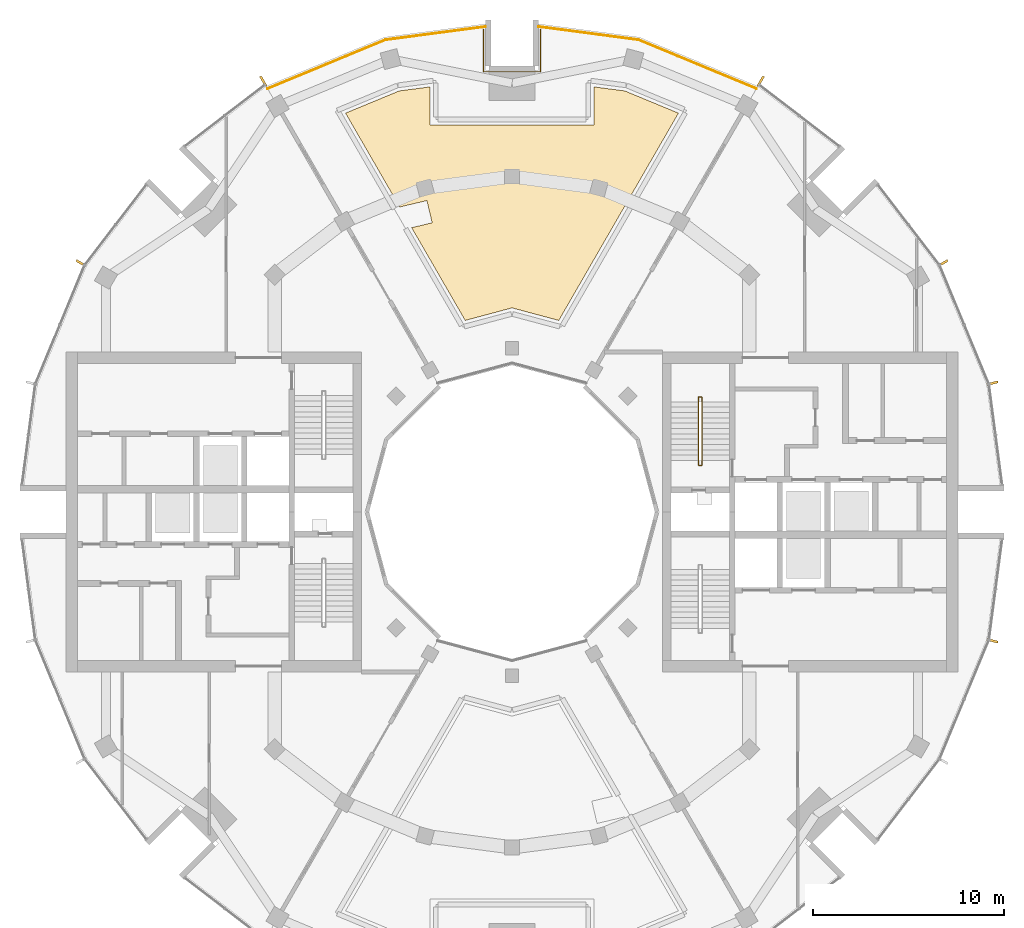
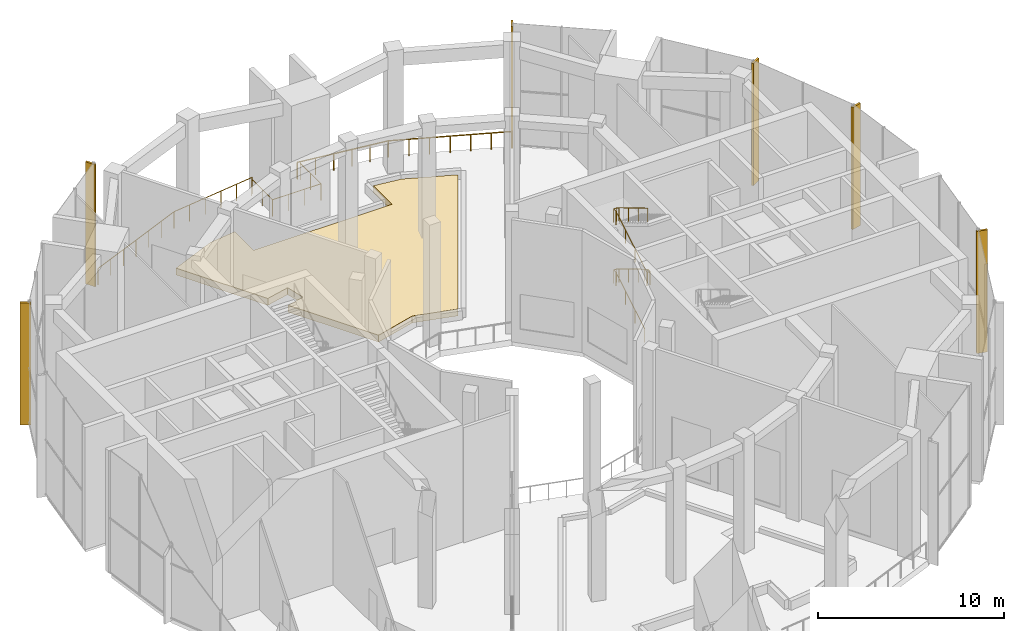
# One storey, part 17 of 18: 6 shading devices, 4 railings, 1 covering.
"""IFC4 building model written with IfcOpenShell, lengths in metres."""

from ifc_helpers import new_model, si_unit, direction, frame, origin, origin_2d, place, context, subcontext, project, spatial, polyline, rectangle, circle, outline, extrude, material, layer, layer_set, material_profile, profile_set, type_object, element, save


model = new_model("IFC4")

# Units and contexts
model_context = context("Model", 3, precision=1e-05, world=origin(), true_north=direction((0.0, 1.0)))
body_context = subcontext(model_context, "Body", "Model", "MODEL_VIEW")
ifc_project = project(units=[si_unit("LENGTHUNIT", "METRE"), si_unit("AREAUNIT", "SQUARE_METRE"), si_unit("VOLUMEUNIT", "CUBIC_METRE"), si_unit("PLANEANGLEUNIT", "RADIAN"), si_unit("MASSUNIT", "GRAM", prefix="KILO")], contexts=[model_context])

# Site, building, storey
site_placement = place(None, origin())
site = spatial("IfcSite", under=ifc_project, at=site_placement, CompositionType="ELEMENT")
building_placement = place(site_placement, origin())
building = spatial("IfcBuilding", under=site, at=building_placement, Name="Torre Brocal", CompositionType="ELEMENT")
storey_placement = place(building_placement, frame((0.0, 0.0, 229.300048828125)))
storey = spatial("IfcBuildingStorey", under=building, at=storey_placement, Name="L53", CompositionType="ELEMENT", Elevation=229.300048828125)

# Shading devices
ifc_material_1 = material(Name="Aluminium, black anodised", Category="aluminium")
ifc_material_profile = material_profile(ifc_material_1, rectangle(XDim=0.1201171875, YDim=0.60009765625, at=origin_2d()), Name="FIN 120X600 8000 HIGH")
ifc_profile_set = profile_set([ifc_material_profile], Name="Aluminium, black anodised")
shading_device_type = type_object("IfcShadingDeviceType", Name="FIN 120X600 8000 HIGH", PredefinedType="USERDEFINED", material=ifc_profile_set)
for number, where, z_axis, x_axis, name in (
    (1, (105.208984375, 81.754638671875, -0.150146484375), (0.0, 0.0, 1.0), (-0.258819045103, 0.965925826289, 0.0), "FIN"),
    (2, (102.601806640625, 88.049072265625, -0.150146484375), (0.0, 0.0, 1.0), (-0.5, 0.866025403784, 0.0), "FIN"),
    (3, (93.049072265625, 97.601806640625, -0.150146484375), (0.0, 0.0, 1.0), (-0.866025403784, 0.5, 0.0), "FIN"),
    (4, (66.950927734375, 97.601806640625, -0.150146484375), (0.0, 0.0, 1.0), (-0.866025403784, -0.5, 0.0), "FIN"),
    (5, (57.398193359375, 88.049072265625, -0.150146484375), (0.0, 0.0, 1.0), (-0.5, -0.866025403784, 0.0), "FIN"),
    (6, (105.208984375, 68.245361328125, -0.150146484375), (0.0, 0.0, 1.0), (0.258819045103, 0.965925826289, 0.0), "FIN"),
):
    element("IfcShadingDevice", number, at=place(storey_placement, frame(where, z_axis=z_axis, x_axis=x_axis)), inside=storey, type_object=shading_device_type, Name=name, ObjectType="FIN", PredefinedType="USERDEFINED", context=body_context, shape_type="SweptSolid", body=[
        extrude(rectangle(XDim=0.1201171875, YDim=0.60009765625, at=origin_2d()), origin(), (0.0, 0.0, 1.0), 8.0),
    ])

# Railings
ifc_material_2 = material(Name="Laminated glass", Category="glass")
railing_type_1 = type_object("IfcRailingType", Name="GLASS BALUSTRADE 1100", PredefinedType="BALUSTRADE", material=ifc_material_2)
railing_1_placement = place(storey_placement, frame((92.823486328125, 97.2109375, 0.0)))
element("IfcRailing", 7, at=railing_1_placement, inside=storey, type_object=railing_type_1, Name="GLASS BALUSTRADE", PredefinedType="BALUSTRADE", context=body_context, shape_type="SweptSolid", body=[
    extrude(circle(Radius=0.02392578125, at=origin_2d()), frame((0.0, 0.0, 1.076171875), z_axis=(-0.923873277269, 0.382698533507, 0.0), x_axis=(-0.382698533507, -0.923873277269, 0.0)), (0.0, 0.0, 1.0), 6.6953125),
    extrude(circle(Radius=0.02392578125, at=origin_2d()), frame((-6.185546875, 2.562255859375, 1.076171875), z_axis=(-0.991448474977, 0.130498741241, 0.0), x_axis=(-0.130498741241, -0.991448474977, 0.0)), (0.0, 0.0, 1.0), 5.283203125),
    extrude(circle(Radius=0.02099609375, at=origin_2d()), origin(), (0.0, 0.0, 1.0), 1.052001953125),
    extrude(circle(Radius=0.02099609375, at=origin_2d()), frame((-1.031005859375, 0.427001953125, 0.0)), (0.0, 0.0, 1.0), 1.052001953125),
    extrude(circle(Radius=0.02099609375, at=origin_2d()), frame((-2.061767578125, 0.85400390625, 0.0)), (0.0, 0.0, 1.0), 1.052001953125),
    extrude(circle(Radius=0.02099609375, at=origin_2d()), frame((-3.0927734375, 1.28125, 0.0)), (0.0, 0.0, 1.0), 1.052001953125),
    extrude(circle(Radius=0.02099609375, at=origin_2d()), frame((-4.123779296875, 1.708251953125, 0.0)), (0.0, 0.0, 1.0), 1.052001953125),
    extrude(circle(Radius=0.02099609375, at=origin_2d()), frame((-5.154541015625, 2.13525390625, 0.0)), (0.0, 0.0, 1.0), 1.052001953125),
    extrude(circle(Radius=0.02099609375, at=origin_2d()), frame((-6.185546875, 2.562255859375, 0.0)), (0.0, 0.0, 1.0), 1.052001953125),
    extrude(circle(Radius=0.02099609375, at=origin_2d()), frame((-7.233154296875, 2.7001953125, 0.0)), (0.0, 0.0, 1.0), 1.052001953125),
    extrude(circle(Radius=0.02099609375, at=origin_2d()), frame((-8.28076171875, 2.838134765625, 0.0)), (0.0, 0.0, 1.0), 1.052001953125),
    extrude(circle(Radius=0.02099609375, at=origin_2d()), frame((-9.328369140625, 2.975830078125, 0.0)), (0.0, 0.0, 1.0), 1.052001953125),
    extrude(circle(Radius=0.02099609375, at=origin_2d()), frame((-10.3759765625, 3.11376953125, 0.0)), (0.0, 0.0, 1.0), 1.052001953125),
    extrude(circle(Radius=0.02099609375, at=origin_2d()), frame((-11.423583984375, 3.251708984375, 0.0)), (0.0, 0.0, 1.0), 1.052001953125),
])
railing_2_placement = place(storey_placement, frame((78.60009765625, 100.462646484375, 0.0)))
element("IfcRailing", 8, at=railing_2_placement, inside=storey, type_object=railing_type_1, Name="GLASS BALUSTRADE", PredefinedType="BALUSTRADE", context=body_context, shape_type="SweptSolid", body=[
    extrude(circle(Radius=0.02392578125, at=origin_2d()), frame((0.0, 0.0, 1.076171875), z_axis=(-0.991448474977, -0.130498741241, 0.0), x_axis=(0.130498741241, -0.991448474977, 0.0)), (0.0, 0.0, 1.0), 5.283203125),
    extrude(circle(Radius=0.02392578125, at=origin_2d()), frame((-5.238037109375, -0.689453125, 1.076171875), z_axis=(-0.923873277269, -0.382698533507, 0.0), x_axis=(0.382698533507, -0.923873277269, 0.0)), (0.0, 0.0, 1.0), 6.6953125),
    extrude(circle(Radius=0.02099609375, at=origin_2d()), origin(), (0.0, 0.0, 1.0), 1.052001953125),
    extrude(circle(Radius=0.02099609375, at=origin_2d()), frame((-1.047607421875, -0.137939453125, 0.0)), (0.0, 0.0, 1.0), 1.052001953125),
    extrude(circle(Radius=0.02099609375, at=origin_2d()), frame((-2.09521484375, -0.27587890625, 0.0)), (0.0, 0.0, 1.0), 1.052001953125),
    extrude(circle(Radius=0.02099609375, at=origin_2d()), frame((-3.142822265625, -0.41357421875, 0.0)), (0.0, 0.0, 1.0), 1.052001953125),
    extrude(circle(Radius=0.02099609375, at=origin_2d()), frame((-4.1904296875, -0.551513671875, 0.0)), (0.0, 0.0, 1.0), 1.052001953125),
    extrude(circle(Radius=0.02099609375, at=origin_2d()), frame((-5.238037109375, -0.689453125, 0.0)), (0.0, 0.0, 1.0), 1.052001953125),
    extrude(circle(Radius=0.02099609375, at=origin_2d()), frame((-6.26904296875, -1.116455078125, 0.0)), (0.0, 0.0, 1.0), 1.052001953125),
    extrude(circle(Radius=0.02099609375, at=origin_2d()), frame((-7.2998046875, -1.54345703125, 0.0)), (0.0, 0.0, 1.0), 1.052001953125),
    extrude(circle(Radius=0.02099609375, at=origin_2d()), frame((-8.330810546875, -1.970703125, 0.0)), (0.0, 0.0, 1.0), 1.052001953125),
    extrude(circle(Radius=0.02099609375, at=origin_2d()), frame((-9.36181640625, -2.397705078125, 0.0)), (0.0, 0.0, 1.0), 1.052001953125),
    extrude(circle(Radius=0.02099609375, at=origin_2d()), frame((-10.392578125, -2.82470703125, 0.0)), (0.0, 0.0, 1.0), 1.052001953125),
    extrude(circle(Radius=0.02099609375, at=origin_2d()), frame((-11.423583984375, -3.251708984375, 0.0)), (0.0, 0.0, 1.0), 1.052001953125),
])
ifc_material_3 = material(Name="Steel A36", Category="steel")
railing_type_2 = type_object("IfcRailingType", Name="GUARD 1100", PredefinedType="GUARDRAIL", material=ifc_material_3)
railing_3_placement = place(storey_placement, frame((78.5, 100.328369140625, 0.0)))
element("IfcRailing", 9, at=railing_3_placement, inside=storey, type_object=railing_type_2, Name="GUARD", PredefinedType="GUARDRAIL", context=body_context, shape_type="SweptSolid", body=[
    extrude(circle(Radius=0.02392578125, at=origin_2d()), frame((0.0, 0.0, 1.076171875), z_axis=(0.0, -1.0, 0.0), x_axis=(1.0, 0.0, 0.0)), (0.0, 0.0, 1.0), 2.228271484375),
    extrude(circle(Radius=0.02392578125, at=origin_2d()), frame((0.0, -2.228271484375, 1.076171875), z_axis=(1.0, 0.0, 0.0), x_axis=(0.0, 1.0, 0.0)), (0.0, 0.0, 1.0), 3.0),
    extrude(circle(Radius=0.02392578125, at=origin_2d()), frame((3.0, -2.228271484375, 1.076171875), z_axis=(0.0, 1.0, 0.0), x_axis=(-1.0, 0.0, 0.0)), (0.0, 0.0, 1.0), 2.228271484375),
    extrude(circle(Radius=0.02099609375, at=origin_2d()), origin(), (0.0, 0.0, 1.0), 1.052001953125),
    extrude(circle(Radius=0.02099609375, at=origin_2d()), frame((0.0, -1.1142578125, 0.0)), (0.0, 0.0, 1.0), 1.052001953125),
    extrude(circle(Radius=0.02099609375, at=origin_2d()), frame((0.0, -2.228271484375, 0.0)), (0.0, 0.0, 1.0), 1.052001953125),
    extrude(circle(Radius=0.02099609375, at=origin_2d()), frame((1.0, -2.228271484375, 0.0)), (0.0, 0.0, 1.0), 1.052001953125),
    extrude(circle(Radius=0.02099609375, at=origin_2d()), frame((2.0, -2.228271484375, 0.0)), (0.0, 0.0, 1.0), 1.052001953125),
    extrude(circle(Radius=0.02099609375, at=origin_2d()), frame((3.0, -2.228271484375, 0.0)), (0.0, 0.0, 1.0), 1.052001953125),
    extrude(circle(Radius=0.02099609375, at=origin_2d()), frame((3.0, -1.1142578125, 0.0)), (0.0, 0.0, 1.0), 1.052001953125),
    extrude(circle(Radius=0.02099609375, at=origin_2d()), frame((3.0, 0.0, 0.0)), (0.0, 0.0, 1.0), 1.052001953125),
])

# Covering
ifc_material_4 = material(Name="Planting soil")
ifc_layer = layer(ifc_material_4, 0.449951171875)
ifc_layer_set = layer_set([ifc_layer], Name="Planting soil")
covering_type = type_object("IfcCoveringType", Name="PLANTING SOIL 450", PredefinedType="FLOORING", material=ifc_layer_set)
covering_placement = place(storey_placement, origin())
element("IfcCovering", 10, at=covering_placement, inside=storey, type_object=covering_type, Name="PLANTING SOIL", PredefinedType="FLOORING", context=body_context, shape_type="SweptSolid", body=[
    extrude(outline(polyline([(75.699951171875, 97.30712890625), (75.699951171875, 95.300048828125), (84.300048828125, 95.300048828125), (84.300048828125, 97.30712890625), (85.919921875, 97.09375), (88.734375, 95.92822265625), (82.45458984375, 85.051513671875), (80.0, 85.70947265625), (77.54541015625, 85.051513671875), (74.7353515625, 89.91845703125), (75.813232421875, 90.174560546875), (75.53564453125, 91.342041015625), (74.109375, 91.003173828125), (71.265625, 95.92822265625), (74.080078125, 97.09375), (75.699951171875, 97.30712890625)])), origin(), (0.0, 0.0, 1.0), 0.449951171875),
])

# Railing
ifc_material_5 = material(Name="Stainless steel AISI 316", Category="steel")
railing_type_3 = type_object("IfcRailingType", Name="STAIR HANDRAIL", PredefinedType="HANDRAIL", material=ifc_material_5)
railing_4_placement = place(storey_placement, frame((89.780029296875, 77.699951171875, 0.16650390625)))
element("IfcRailing", 11, at=railing_4_placement, inside=storey, type_object=railing_type_3, Name="HANDRAIL ST1", PredefinedType="HANDRAIL", context=body_context, shape_type="SweptSolid", body=[
    extrude(circle(Radius=0.02392578125, at=origin_2d()), frame((0.0, 0.0, 0.8759765625), z_axis=(0.0, 0.85927862911, 0.511507807912), x_axis=(-1.0, 0.0, 0.0)), (0.0, 0.0, 1.0), 3.58447265625),
    extrude(circle(Radius=0.02392578125, at=origin_2d()), frame((0.0, 3.080078125, 2.70947265625), z_axis=(0.0, 1.0, 0.0), x_axis=(-1.0, 0.0, 0.0)), (0.0, 0.0, 1.0), 0.25),
    extrude(circle(Radius=0.02392578125, at=origin_2d()), frame((0.0, 3.330078125, 2.70947265625), z_axis=(1.0, 0.0, 0.0), x_axis=(0.0, 1.0, 0.0)), (0.0, 0.0, 1.0), 0.18994140625),
    extrude(circle(Radius=0.02392578125, at=origin_2d()), frame((0.18994140625, 3.330078125, 2.70947265625), z_axis=(0.0, -0.832300300006, 0.554325004496), x_axis=(1.0, 0.0, 0.0)), (0.0, 0.0, 1.0), 0.30029296875),
    extrude(circle(Radius=0.02392578125, at=origin_2d()), frame((0.18994140625, 3.080078125, 2.8759765625), z_axis=(0.0, -0.85927862911, 0.511507807912), x_axis=(1.0, 0.0, 0.0)), (0.0, 0.0, 1.0), 3.58447265625),
    extrude(circle(Radius=0.02392578125, at=origin_2d()), frame((0.18994140625, 0.0, 4.70947265625), z_axis=(0.0, -1.0, 0.0), x_axis=(1.0, 0.0, 0.0)), (0.0, 0.0, 1.0), 0.25),
    extrude(circle(Radius=0.02392578125, at=origin_2d()), frame((0.18994140625, -0.25, 4.70947265625), z_axis=(-1.0, 0.0, 0.0), x_axis=(0.0, -1.0, 0.0)), (0.0, 0.0, 1.0), 0.18994140625),
    extrude(circle(Radius=0.02392578125, at=origin_2d()), frame((0.0, -0.25, 4.70947265625), z_axis=(0.0, 0.832300300006, 0.554325004496), x_axis=(-1.0, 0.0, 0.0)), (0.0, 0.0, 1.0), 0.30029296875),
    extrude(circle(Radius=0.02392578125, at=origin_2d()), frame((0.0, 0.0, 4.8759765625), z_axis=(0.0, 0.85927862911, 0.511507807912), x_axis=(-1.0, 0.0, 0.0)), (0.0, 0.0, 1.0), 3.58447265625),
    extrude(circle(Radius=0.02392578125, at=origin_2d()), frame((0.0, 3.080078125, 6.70947265625), z_axis=(0.0, 1.0, 0.0), x_axis=(-1.0, 0.0, 0.0)), (0.0, 0.0, 1.0), 0.25),
    extrude(circle(Radius=0.02392578125, at=origin_2d()), frame((0.0, 3.330078125, 6.70947265625), z_axis=(1.0, 0.0, 0.0), x_axis=(0.0, 1.0, 0.0)), (0.0, 0.0, 1.0), 0.18994140625),
    extrude(circle(Radius=0.02392578125, at=origin_2d()), frame((0.18994140625, 3.330078125, 6.70947265625), z_axis=(0.0, -0.832300300006, 0.554325004496), x_axis=(1.0, 0.0, 0.0)), (0.0, 0.0, 1.0), 0.30029296875),
    extrude(circle(Radius=0.02392578125, at=origin_2d()), frame((0.18994140625, 3.080078125, 6.8759765625), z_axis=(0.0, -0.85927862911, 0.511507807912), x_axis=(1.0, 0.0, 0.0)), (0.0, 0.0, 1.0), 3.58447265625),
    extrude(circle(Radius=0.02099609375, at=origin_2d()), origin(), (0.0, 0.0, 1.0), 0.851806640625),
    extrude(circle(Radius=0.02099609375, at=origin_2d()), frame((0.0, 1.026611328125, 0.611083984375)), (0.0, 0.0, 1.0), 0.851806640625),
    extrude(circle(Radius=0.02099609375, at=origin_2d()), frame((0.0, 2.053466796875, 1.222412109375)), (0.0, 0.0, 1.0), 0.851806640625),
    extrude(circle(Radius=0.02099609375, at=origin_2d()), frame((0.0, 3.080078125, 1.83349609375)), (0.0, 0.0, 1.0), 0.851806640625),
    extrude(circle(Radius=0.02099609375, at=origin_2d()), frame((0.0, 3.330078125, 1.83349609375)), (0.0, 0.0, 1.0), 0.851806640625),
    extrude(circle(Radius=0.02099609375, at=origin_2d()), frame((0.18994140625, 3.330078125, 1.83349609375)), (0.0, 0.0, 1.0), 0.851806640625),
    extrude(circle(Radius=0.02099609375, at=origin_2d()), frame((0.18994140625, 3.080078125, 2.0)), (0.0, 0.0, 1.0), 0.851806640625),
    extrude(circle(Radius=0.02099609375, at=origin_2d()), frame((0.18994140625, 2.053466796875, 2.611083984375)), (0.0, 0.0, 1.0), 0.851806640625),
    extrude(circle(Radius=0.02099609375, at=origin_2d()), frame((0.18994140625, 1.026611328125, 3.222412109375)), (0.0, 0.0, 1.0), 0.851806640625),
    extrude(circle(Radius=0.02099609375, at=origin_2d()), frame((0.18994140625, 0.0, 3.83349609375)), (0.0, 0.0, 1.0), 0.851806640625),
    extrude(circle(Radius=0.02099609375, at=origin_2d()), frame((0.18994140625, -0.25, 3.83349609375)), (0.0, 0.0, 1.0), 0.851806640625),
    extrude(circle(Radius=0.02099609375, at=origin_2d()), frame((0.0, -0.25, 3.83349609375)), (0.0, 0.0, 1.0), 0.851806640625),
    extrude(circle(Radius=0.02099609375, at=origin_2d()), frame((0.0, 0.0, 4.0)), (0.0, 0.0, 1.0), 0.851806640625),
    extrude(circle(Radius=0.02099609375, at=origin_2d()), frame((0.0, 1.026611328125, 4.611083984375)), (0.0, 0.0, 1.0), 0.851806640625),
    extrude(circle(Radius=0.02099609375, at=origin_2d()), frame((0.0, 2.053466796875, 5.222412109375)), (0.0, 0.0, 1.0), 0.851806640625),
    extrude(circle(Radius=0.02099609375, at=origin_2d()), frame((0.0, 3.080078125, 5.83349609375)), (0.0, 0.0, 1.0), 0.851806640625),
    extrude(circle(Radius=0.02099609375, at=origin_2d()), frame((0.0, 3.330078125, 5.83349609375)), (0.0, 0.0, 1.0), 0.851806640625),
    extrude(circle(Radius=0.02099609375, at=origin_2d()), frame((0.18994140625, 3.330078125, 5.83349609375)), (0.0, 0.0, 1.0), 0.851806640625),
    extrude(circle(Radius=0.02099609375, at=origin_2d()), frame((0.18994140625, 3.080078125, 6.0)), (0.0, 0.0, 1.0), 0.851806640625),
    extrude(circle(Radius=0.02099609375, at=origin_2d()), frame((0.18994140625, 2.053466796875, 6.611083984375)), (0.0, 0.0, 1.0), 0.851806640625),
    extrude(circle(Radius=0.02099609375, at=origin_2d()), frame((0.18994140625, 1.026611328125, 7.222412109375)), (0.0, 0.0, 1.0), 0.851806640625),
    extrude(circle(Radius=0.02099609375, at=origin_2d()), frame((0.18994140625, 0.0, 7.83349609375)), (0.0, 0.0, 1.0), 0.851806640625),
])

save(model, "model.ifc")
